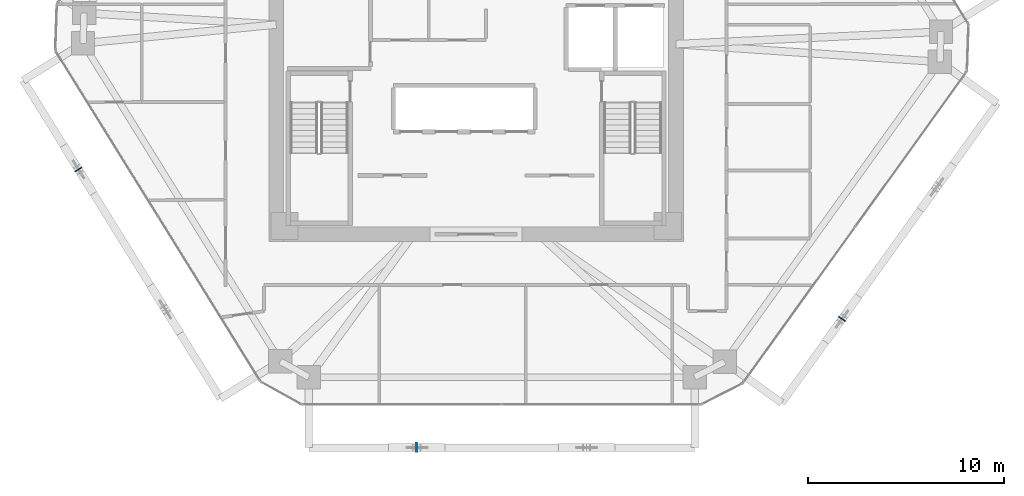
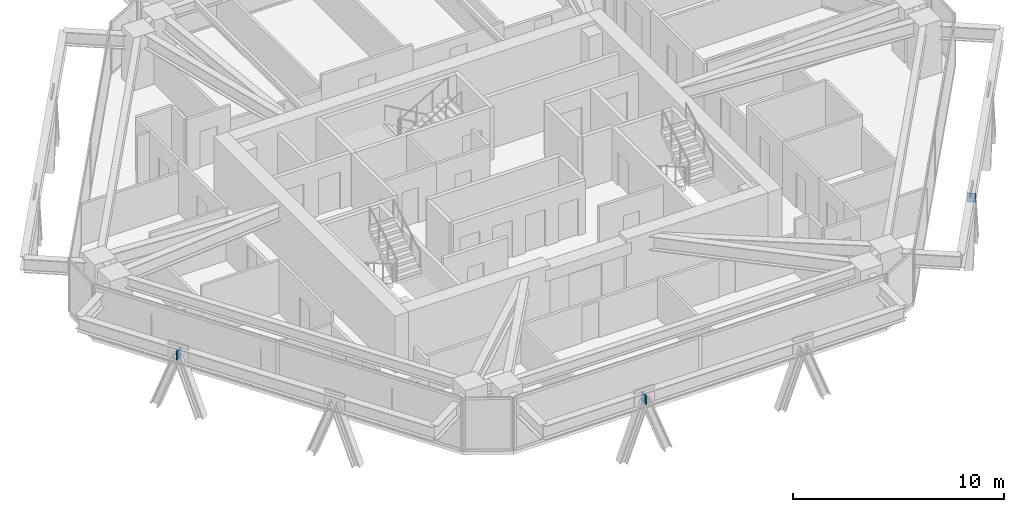
# One storey, part 10 of 16: 3 plates.
"""IFC4 building model written with IfcOpenShell, lengths in metres."""

from ifc_helpers import new_model, si_unit, direction, frame, origin, origin_2d, place, context, subcontext, project, spatial, rectangle, extrude, source, transform, mapped, material, layer, layer_set, type_object, type_shapes, element, save


model = new_model("IFC4")

# Units and contexts
model_context = context("Model", 3, precision=1e-05, world=origin(), true_north=direction((0.0, 1.0)))
body_context = subcontext(model_context, "Body", "Model", "MODEL_VIEW")
ifc_project = project(units=[si_unit("LENGTHUNIT", "METRE"), si_unit("AREAUNIT", "SQUARE_METRE"), si_unit("VOLUMEUNIT", "CUBIC_METRE"), si_unit("PLANEANGLEUNIT", "RADIAN"), si_unit("MASSUNIT", "GRAM", prefix="KILO")], contexts=[model_context])

# Site, building, storey
site_placement = place(None, origin())
site = spatial("IfcSite", under=ifc_project, at=site_placement, CompositionType="ELEMENT")
building_placement = place(site_placement, origin())
building = spatial("IfcBuilding", under=site, at=building_placement, Name="Durnholm Broadcast Tower", CompositionType="ELEMENT")
storey_placement = place(building_placement, frame((0.0, 0.0, 130.5)))
storey = spatial("IfcBuildingStorey", under=building, at=storey_placement, Name="L35", CompositionType="ELEMENT", Elevation=130.5)

# Plates
ifc_material = material(Name="Steel ASTM A572 Grade 50", Category="steel")
ifc_layer = layer(ifc_material, 0.044921875)
ifc_layer_set = layer_set([ifc_layer], Name="Steel ASTM A572 Grade 50")
plate_type = type_object("IfcPlateType", Name="PLT-KN-STIF", PredefinedType="SHEET", material=ifc_layer_set)
shared_shape = source(origin(), body_context, "Body", "SweptSolid", [
    extrude(rectangle(XDim=0.044921875, YDim=0.419921875, at=origin_2d()), origin(), (0.0, 0.0, 1.0), 0.52001953125),
])
type_shapes(plate_type, [shared_shape])
for number, where, z_axis, x_axis, name in (
    (1, (-3.028076171875, -19.136962890625, 2.048583984375), (0.0, 0.0, 1.0), (1.0, 0.0, 0.0), "L35 welded diagrid node stiffener plate F1"),
    (2, (18.71875, -12.556396484375, 2.048583984375), (0.0, 0.0, 1.0), (0.583399467156, 0.812185361677, 0.0), "L35 welded diagrid node stiffener plate F2"),
    (3, (-20.337158203125, -4.910400390625, 2.048583984375), (0.0, 0.0, 1.0), (0.527104121728, -0.849800708906, 0.0), "L35 welded diagrid node stiffener plate F6"),
):
    element("IfcPlate", number, at=place(storey_placement, frame(where, z_axis=z_axis, x_axis=x_axis)), inside=storey, type_object=plate_type, Name=name, PredefinedType="SHEET", context=body_context, shape_type="MappedRepresentation", body=[
        mapped(shared_shape, transform((0.0, 0.0, 0.0), x_axis=(1.0, 0.0, 0.0), y_axis=(0.0, 1.0, 0.0), z_axis=(0.0, 0.0, 1.0), scale=1.0)),
    ])

save(model, "model.ifc")
